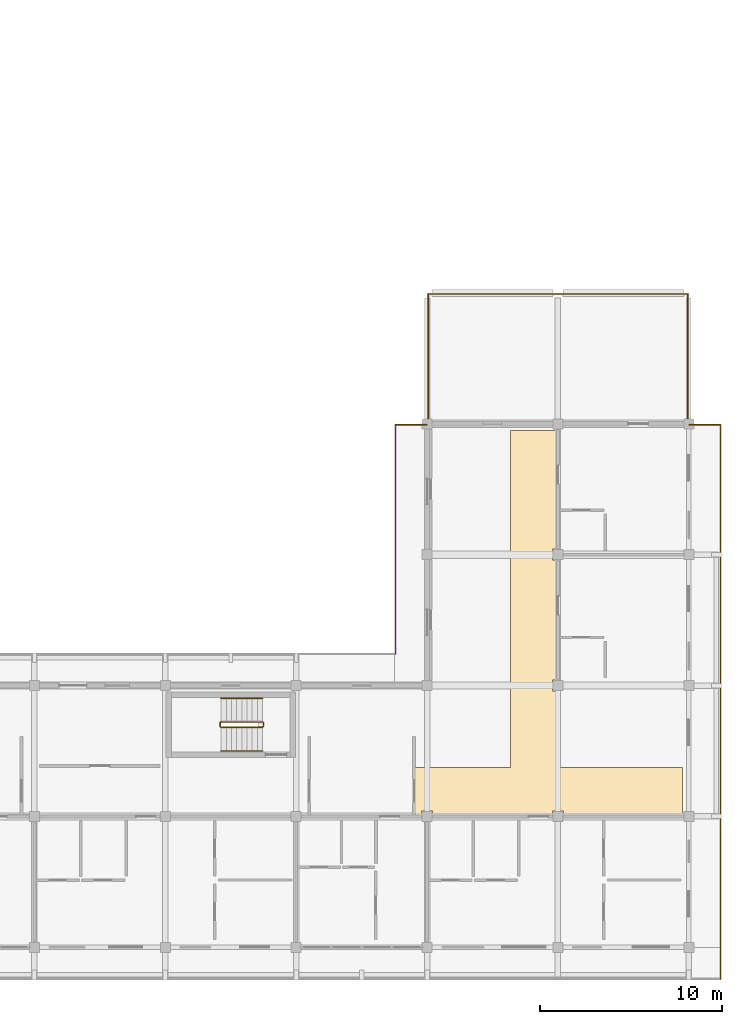
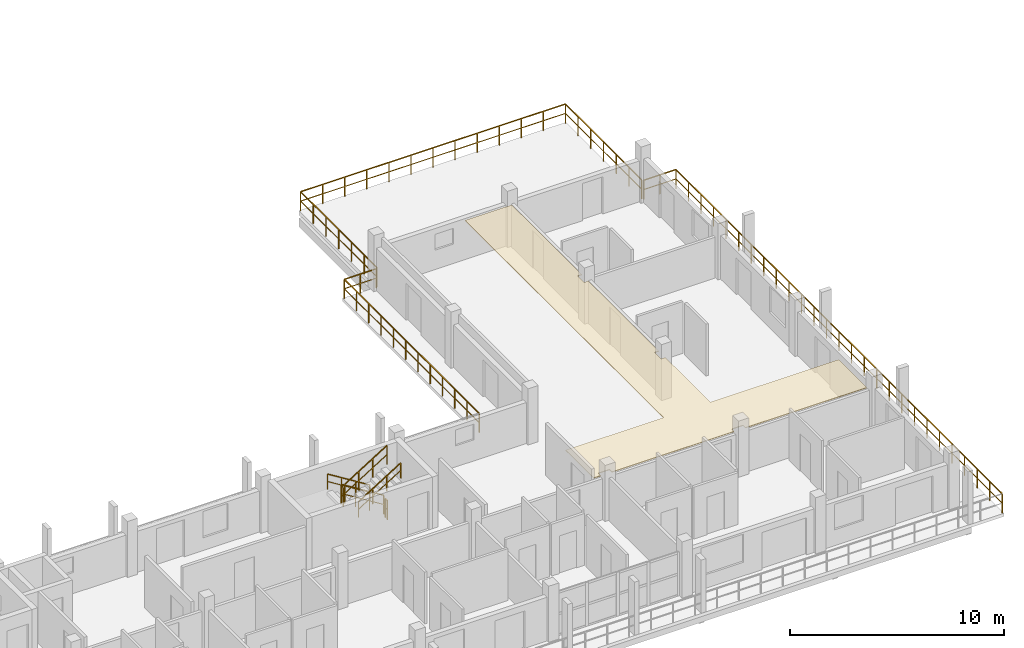
# One storey, part 61 of 65: 13 railings, 1 covering.
"""IFC4 building model written with IfcOpenShell, lengths in metres."""

from ifc_helpers import new_model, si_unit, direction, frame, origin, origin_2d, place, context, subcontext, project, spatial, polyline, rectangle, outline, extrude, material, layer, layer_set, type_object, element, save


model = new_model("IFC4")

# Units and contexts
model_context = context("Model", 3, precision=1e-05, world=origin(), true_north=direction((0.0, 1.0)))
body_context = subcontext(model_context, "Body", "Model", "MODEL_VIEW")
ifc_project = project(units=[si_unit("LENGTHUNIT", "METRE"), si_unit("AREAUNIT", "SQUARE_METRE"), si_unit("VOLUMEUNIT", "CUBIC_METRE"), si_unit("PLANEANGLEUNIT", "RADIAN"), si_unit("MASSUNIT", "GRAM", prefix="KILO")], contexts=[model_context])

# Site, building, storey
site_placement = place(None, origin())
site = spatial("IfcSite", under=ifc_project, at=site_placement, CompositionType="ELEMENT")
building_placement = place(site_placement, origin())
building = spatial("IfcBuilding", under=site, at=building_placement, Name="Suanplinth Sawtooth Commons", CompositionType="ELEMENT")
storey_placement = place(building_placement, frame((0.0, 0.0, 28.300048828125)))
storey = spatial("IfcBuildingStorey", under=building, at=storey_placement, Name="L08", CompositionType="ELEMENT", Elevation=28.300048828125)

# Covering
ifc_material_1 = material(Name="Mineral fibre acoustic tile")
ifc_layer = layer(ifc_material_1, 0.0400390625, Name="Perforated mineral-fibre acoustic suspended ceiling")
ifc_layer_set = layer_set([ifc_layer], Name="Mineral fibre acoustic tile")
covering_type = type_object("IfcCoveringType", Name="CV-CE01", PredefinedType="CEILING", material=ifc_layer_set)
covering_placement = place(storey_placement, frame((0.0, 0.0, 2.3798828125)))
element("IfcCovering", 1, at=covering_placement, inside=storey, type_object=covering_type, Name="L08 Block C Corridor Acoustic Ceiling", PredefinedType="CEILING", context=body_context, shape_type="SweptSolid", body=[
    extrude(outline(polyline([(172.1201171875, 9.89990234375), (177.39990234375, 9.89990234375), (177.39990234375, 28.43994140625), (179.919921875, 28.43994140625), (179.919921875, 21.905029296875), (179.695068359375, 21.905029296875), (179.695068359375, 21.294921875), (179.919921875, 21.294921875), (179.919921875, 14.705078125), (179.695068359375, 14.705078125), (179.695068359375, 14.094970703125), (179.919921875, 14.094970703125), (179.919921875, 9.89990234375), (186.840087890625, 9.89990234375), (186.840087890625, 7.280029296875), (180.304931640625, 7.280029296875), (180.304931640625, 7.5048828125), (179.695068359375, 7.5048828125), (179.695068359375, 7.280029296875), (173.10498046875, 7.280029296875), (173.10498046875, 7.5048828125), (172.4951171875, 7.5048828125), (172.4951171875, 7.280029296875), (172.1201171875, 7.280029296875), (172.1201171875, 9.89990234375)])), origin(), (0.0, 0.0, 1.0), 0.0400390625),
])

# Railings
ifc_material_2 = material(Name="Powder-coated galvanized steel", Category="steel")
railing_type_1 = type_object("IfcRailingType", Name="GR-01", PredefinedType="BALUSTRADE", material=ifc_material_2)
railing_1_placement = place(storey_placement, frame((171.06005859375, 16.139892578125, 0.0)))
element("IfcRailing", 2, at=railing_1_placement, inside=storey, type_object=railing_type_1, Name="L08 Block C Perimeter Balustrade 7", PredefinedType="BALUSTRADE", context=body_context, shape_type="SweptSolid", body=[
    extrude(rectangle(XDim=0.048095703125, YDim=0.048095703125, at=origin_2d()), frame((0.0, 0.0, 1.09619140625), z_axis=(0.0, 1.0, 0.0), x_axis=(-1.0, 0.0, 0.0)), (0.0, 0.0, 1.0), 12.60009765625),
    extrude(rectangle(XDim=0.03369140625, YDim=0.03369140625, at=origin_2d()), frame((0.0, 0.0, 0.56005859375), z_axis=(0.0, 1.0, 0.0), x_axis=(-1.0, 0.0, 0.0)), (0.0, 0.0, 1.0), 12.60009765625),
    extrude(rectangle(XDim=0.0419921875, YDim=0.0419921875, at=origin_2d()), origin(), (0.0, 0.0, 1.0), 1.072021484375),
    extrude(rectangle(XDim=0.0419921875, YDim=0.0419921875, at=origin_2d()), frame((0.0, 1.1455078125, 0.0)), (0.0, 0.0, 1.0), 1.072021484375),
    extrude(rectangle(XDim=0.0419921875, YDim=0.0419921875, at=origin_2d()), frame((0.0, 2.291015625, 0.0)), (0.0, 0.0, 1.0), 1.072021484375),
    extrude(rectangle(XDim=0.0419921875, YDim=0.0419921875, at=origin_2d()), frame((0.0, 3.436279296875, 0.0)), (0.0, 0.0, 1.0), 1.072021484375),
    extrude(rectangle(XDim=0.0419921875, YDim=0.0419921875, at=origin_2d()), frame((0.0, 4.581787109375, 0.0)), (0.0, 0.0, 1.0), 1.072021484375),
    extrude(rectangle(XDim=0.0419921875, YDim=0.0419921875, at=origin_2d()), frame((0.0, 5.727294921875, 0.0)), (0.0, 0.0, 1.0), 1.072021484375),
    extrude(rectangle(XDim=0.0419921875, YDim=0.0419921875, at=origin_2d()), frame((0.0, 6.872802734375, 0.0)), (0.0, 0.0, 1.0), 1.072021484375),
    extrude(rectangle(XDim=0.0419921875, YDim=0.0419921875, at=origin_2d()), frame((0.0, 8.018310546875, 0.0)), (0.0, 0.0, 1.0), 1.072021484375),
    extrude(rectangle(XDim=0.0419921875, YDim=0.0419921875, at=origin_2d()), frame((0.0, 9.163818359375, 0.0)), (0.0, 0.0, 1.0), 1.072021484375),
    extrude(rectangle(XDim=0.0419921875, YDim=0.0419921875, at=origin_2d()), frame((0.0, 10.30908203125, 0.0)), (0.0, 0.0, 1.0), 1.072021484375),
    extrude(rectangle(XDim=0.0419921875, YDim=0.0419921875, at=origin_2d()), frame((0.0, 11.45458984375, 0.0)), (0.0, 0.0, 1.0), 1.072021484375),
    extrude(rectangle(XDim=0.0419921875, YDim=0.0419921875, at=origin_2d()), frame((0.0, 12.60009765625, 0.0)), (0.0, 0.0, 1.0), 1.072021484375),
])
railing_2_placement = place(storey_placement, frame((171.06005859375, 28.739990234375, 0.0)))
element("IfcRailing", 3, at=railing_2_placement, inside=storey, type_object=railing_type_1, Name="L08 Block C Perimeter Balustrade 8", PredefinedType="BALUSTRADE", context=body_context, shape_type="SweptSolid", body=[
    extrude(rectangle(XDim=0.048095703125, YDim=0.048095703125, at=origin_2d()), frame((0.0, 0.0, 1.09619140625), z_axis=(1.0, 0.0, 0.0), x_axis=(0.0, 1.0, 0.0)), (0.0, 0.0, 1.0), 1.719970703125),
    extrude(rectangle(XDim=0.03369140625, YDim=0.03369140625, at=origin_2d()), frame((0.0, 0.0, 0.56005859375), z_axis=(1.0, 0.0, 0.0), x_axis=(0.0, 1.0, 0.0)), (0.0, 0.0, 1.0), 1.719970703125),
    extrude(rectangle(XDim=0.0419921875, YDim=0.0419921875, at=origin_2d()), origin(), (0.0, 0.0, 1.0), 1.072021484375),
    extrude(rectangle(XDim=0.0419921875, YDim=0.0419921875, at=origin_2d()), frame((0.85986328125, 0.0, 0.0)), (0.0, 0.0, 1.0), 1.072021484375),
    extrude(rectangle(XDim=0.0419921875, YDim=0.0419921875, at=origin_2d()), frame((1.719970703125, 0.0, 0.0)), (0.0, 0.0, 1.0), 1.072021484375),
])
railing_3_placement = place(storey_placement, frame((172.860107421875, 28.820068359375, 0.0)))
element("IfcRailing", 4, at=railing_3_placement, inside=storey, type_object=railing_type_1, Name="L08 Block C Perimeter Balustrade 9", PredefinedType="BALUSTRADE", context=body_context, shape_type="SweptSolid", body=[
    extrude(rectangle(XDim=0.048095703125, YDim=0.048095703125, at=origin_2d()), frame((0.0, 0.0, 1.09619140625), z_axis=(0.0, 1.0, 0.0), x_axis=(-1.0, 0.0, 0.0)), (0.0, 0.0, 1.0), 7.119873046875),
    extrude(rectangle(XDim=0.03369140625, YDim=0.03369140625, at=origin_2d()), frame((0.0, 0.0, 0.56005859375), z_axis=(0.0, 1.0, 0.0), x_axis=(-1.0, 0.0, 0.0)), (0.0, 0.0, 1.0), 7.119873046875),
    extrude(rectangle(XDim=0.0419921875, YDim=0.0419921875, at=origin_2d()), origin(), (0.0, 0.0, 1.0), 1.072021484375),
    extrude(rectangle(XDim=0.0419921875, YDim=0.0419921875, at=origin_2d()), frame((0.0, 1.1865234375, 0.0)), (0.0, 0.0, 1.0), 1.072021484375),
    extrude(rectangle(XDim=0.0419921875, YDim=0.0419921875, at=origin_2d()), frame((0.0, 2.373291015625, 0.0)), (0.0, 0.0, 1.0), 1.072021484375),
    extrude(rectangle(XDim=0.0419921875, YDim=0.0419921875, at=origin_2d()), frame((0.0, 3.56005859375, 0.0)), (0.0, 0.0, 1.0), 1.072021484375),
    extrude(rectangle(XDim=0.0419921875, YDim=0.0419921875, at=origin_2d()), frame((0.0, 4.74658203125, 0.0)), (0.0, 0.0, 1.0), 1.072021484375),
    extrude(rectangle(XDim=0.0419921875, YDim=0.0419921875, at=origin_2d()), frame((0.0, 5.93310546875, 0.0)), (0.0, 0.0, 1.0), 1.072021484375),
    extrude(rectangle(XDim=0.0419921875, YDim=0.0419921875, at=origin_2d()), frame((0.0, 7.119873046875, 0.0)), (0.0, 0.0, 1.0), 1.072021484375),
])
railing_4_placement = place(storey_placement, frame((172.860107421875, 35.93994140625, 0.0)))
element("IfcRailing", 5, at=railing_4_placement, inside=storey, type_object=railing_type_1, Name="L08 Block C Perimeter Balustrade 10", PredefinedType="BALUSTRADE", context=body_context, shape_type="SweptSolid", body=[
    extrude(rectangle(XDim=0.048095703125, YDim=0.048095703125, at=origin_2d()), frame((0.0, 0.0, 1.09619140625), z_axis=(1.0, 0.0, 0.0), x_axis=(0.0, 1.0, 0.0)), (0.0, 0.0, 1.0), 14.27978515625),
    extrude(rectangle(XDim=0.03369140625, YDim=0.03369140625, at=origin_2d()), frame((0.0, 0.0, 0.56005859375), z_axis=(1.0, 0.0, 0.0), x_axis=(0.0, 1.0, 0.0)), (0.0, 0.0, 1.0), 14.27978515625),
    extrude(rectangle(XDim=0.0419921875, YDim=0.0419921875, at=origin_2d()), origin(), (0.0, 0.0, 1.0), 1.072021484375),
    extrude(rectangle(XDim=0.0419921875, YDim=0.0419921875, at=origin_2d()), frame((1.18994140625, 0.0, 0.0)), (0.0, 0.0, 1.0), 1.072021484375),
    extrude(rectangle(XDim=0.0419921875, YDim=0.0419921875, at=origin_2d()), frame((2.3798828125, 0.0, 0.0)), (0.0, 0.0, 1.0), 1.072021484375),
    extrude(rectangle(XDim=0.0419921875, YDim=0.0419921875, at=origin_2d()), frame((3.56982421875, 0.0, 0.0)), (0.0, 0.0, 1.0), 1.072021484375),
    extrude(rectangle(XDim=0.0419921875, YDim=0.0419921875, at=origin_2d()), frame((4.760009765625, 0.0, 0.0)), (0.0, 0.0, 1.0), 1.072021484375),
    extrude(rectangle(XDim=0.0419921875, YDim=0.0419921875, at=origin_2d()), frame((5.949951171875, 0.0, 0.0)), (0.0, 0.0, 1.0), 1.072021484375),
    extrude(rectangle(XDim=0.0419921875, YDim=0.0419921875, at=origin_2d()), frame((7.139892578125, 0.0, 0.0)), (0.0, 0.0, 1.0), 1.072021484375),
    extrude(rectangle(XDim=0.0419921875, YDim=0.0419921875, at=origin_2d()), frame((8.329833984375, 0.0, 0.0)), (0.0, 0.0, 1.0), 1.072021484375),
    extrude(rectangle(XDim=0.0419921875, YDim=0.0419921875, at=origin_2d()), frame((9.519775390625, 0.0, 0.0)), (0.0, 0.0, 1.0), 1.072021484375),
    extrude(rectangle(XDim=0.0419921875, YDim=0.0419921875, at=origin_2d()), frame((10.7099609375, 0.0, 0.0)), (0.0, 0.0, 1.0), 1.072021484375),
    extrude(rectangle(XDim=0.0419921875, YDim=0.0419921875, at=origin_2d()), frame((11.89990234375, 0.0, 0.0)), (0.0, 0.0, 1.0), 1.072021484375),
    extrude(rectangle(XDim=0.0419921875, YDim=0.0419921875, at=origin_2d()), frame((13.08984375, 0.0, 0.0)), (0.0, 0.0, 1.0), 1.072021484375),
    extrude(rectangle(XDim=0.0419921875, YDim=0.0419921875, at=origin_2d()), frame((14.27978515625, 0.0, 0.0)), (0.0, 0.0, 1.0), 1.072021484375),
])
railing_5_placement = place(storey_placement, frame((187.139892578125, 35.93994140625, 0.0)))
element("IfcRailing", 6, at=railing_5_placement, inside=storey, type_object=railing_type_1, Name="L08 Block C Perimeter Balustrade 11", PredefinedType="BALUSTRADE", context=body_context, shape_type="SweptSolid", body=[
    extrude(rectangle(XDim=0.048095703125, YDim=0.048095703125, at=origin_2d()), frame((0.0, 0.0, 1.09619140625), z_axis=(0.0, -1.0, 0.0), x_axis=(1.0, 0.0, 0.0)), (0.0, 0.0, 1.0), 7.119873046875),
    extrude(rectangle(XDim=0.03369140625, YDim=0.03369140625, at=origin_2d()), frame((0.0, 0.0, 0.56005859375), z_axis=(0.0, -1.0, 0.0), x_axis=(1.0, 0.0, 0.0)), (0.0, 0.0, 1.0), 7.119873046875),
    extrude(rectangle(XDim=0.0419921875, YDim=0.0419921875, at=origin_2d()), origin(), (0.0, 0.0, 1.0), 1.072021484375),
    extrude(rectangle(XDim=0.0419921875, YDim=0.0419921875, at=origin_2d()), frame((0.0, -1.1865234375, 0.0)), (0.0, 0.0, 1.0), 1.072021484375),
    extrude(rectangle(XDim=0.0419921875, YDim=0.0419921875, at=origin_2d()), frame((0.0, -2.373291015625, 0.0)), (0.0, 0.0, 1.0), 1.072021484375),
    extrude(rectangle(XDim=0.0419921875, YDim=0.0419921875, at=origin_2d()), frame((0.0, -3.56005859375, 0.0)), (0.0, 0.0, 1.0), 1.072021484375),
    extrude(rectangle(XDim=0.0419921875, YDim=0.0419921875, at=origin_2d()), frame((0.0, -4.74658203125, 0.0)), (0.0, 0.0, 1.0), 1.072021484375),
    extrude(rectangle(XDim=0.0419921875, YDim=0.0419921875, at=origin_2d()), frame((0.0, -5.93310546875, 0.0)), (0.0, 0.0, 1.0), 1.072021484375),
    extrude(rectangle(XDim=0.0419921875, YDim=0.0419921875, at=origin_2d()), frame((0.0, -7.119873046875, 0.0)), (0.0, 0.0, 1.0), 1.072021484375),
])
railing_6_placement = place(storey_placement, frame((187.219970703125, 28.739990234375, 0.0)))
element("IfcRailing", 7, at=railing_6_placement, inside=storey, type_object=railing_type_1, Name="L08 Block C Perimeter Balustrade 12", PredefinedType="BALUSTRADE", context=body_context, shape_type="SweptSolid", body=[
    extrude(rectangle(XDim=0.048095703125, YDim=0.048095703125, at=origin_2d()), frame((0.0, 0.0, 1.09619140625), z_axis=(1.0, 0.0, 0.0), x_axis=(0.0, 1.0, 0.0)), (0.0, 0.0, 1.0), 1.719970703125),
    extrude(rectangle(XDim=0.03369140625, YDim=0.03369140625, at=origin_2d()), frame((0.0, 0.0, 0.56005859375), z_axis=(1.0, 0.0, 0.0), x_axis=(0.0, 1.0, 0.0)), (0.0, 0.0, 1.0), 1.719970703125),
    extrude(rectangle(XDim=0.0419921875, YDim=0.0419921875, at=origin_2d()), origin(), (0.0, 0.0, 1.0), 1.072021484375),
    extrude(rectangle(XDim=0.0419921875, YDim=0.0419921875, at=origin_2d()), frame((0.85986328125, 0.0, 0.0)), (0.0, 0.0, 1.0), 1.072021484375),
    extrude(rectangle(XDim=0.0419921875, YDim=0.0419921875, at=origin_2d()), frame((1.719970703125, 0.0, 0.0)), (0.0, 0.0, 1.0), 1.072021484375),
])
railing_7_placement = place(storey_placement, frame((188.93994140625, 28.739990234375, 0.0)))
element("IfcRailing", 8, at=railing_7_placement, inside=storey, type_object=railing_type_1, Name="L08 Block C Perimeter Balustrade 13", PredefinedType="BALUSTRADE", context=body_context, shape_type="SweptSolid", body=[
    extrude(rectangle(XDim=0.048095703125, YDim=0.048095703125, at=origin_2d()), frame((0.0, 0.0, 1.09619140625), z_axis=(0.0, -1.0, 0.0), x_axis=(1.0, 0.0, 0.0)), (0.0, 0.0, 1.0), 30.47998046875),
    extrude(rectangle(XDim=0.03369140625, YDim=0.03369140625, at=origin_2d()), frame((0.0, 0.0, 0.56005859375), z_axis=(0.0, -1.0, 0.0), x_axis=(1.0, 0.0, 0.0)), (0.0, 0.0, 1.0), 30.47998046875),
    extrude(rectangle(XDim=0.0419921875, YDim=0.0419921875, at=origin_2d()), origin(), (0.0, 0.0, 1.0), 1.072021484375),
    extrude(rectangle(XDim=0.0419921875, YDim=0.0419921875, at=origin_2d()), frame((0.0, -1.17236328125, 0.0)), (0.0, 0.0, 1.0), 1.072021484375),
    extrude(rectangle(XDim=0.0419921875, YDim=0.0419921875, at=origin_2d()), frame((0.0, -2.3447265625, 0.0)), (0.0, 0.0, 1.0), 1.072021484375),
    extrude(rectangle(XDim=0.0419921875, YDim=0.0419921875, at=origin_2d()), frame((0.0, -3.516845703125, 0.0)), (0.0, 0.0, 1.0), 1.072021484375),
    extrude(rectangle(XDim=0.0419921875, YDim=0.0419921875, at=origin_2d()), frame((0.0, -4.689208984375, 0.0)), (0.0, 0.0, 1.0), 1.072021484375),
    extrude(rectangle(XDim=0.0419921875, YDim=0.0419921875, at=origin_2d()), frame((0.0, -5.861572265625, 0.0)), (0.0, 0.0, 1.0), 1.072021484375),
    extrude(rectangle(XDim=0.0419921875, YDim=0.0419921875, at=origin_2d()), frame((0.0, -7.033935546875, 0.0)), (0.0, 0.0, 1.0), 1.072021484375),
    extrude(rectangle(XDim=0.0419921875, YDim=0.0419921875, at=origin_2d()), frame((0.0, -8.2060546875, 0.0)), (0.0, 0.0, 1.0), 1.072021484375),
    extrude(rectangle(XDim=0.0419921875, YDim=0.0419921875, at=origin_2d()), frame((0.0, -9.37841796875, 0.0)), (0.0, 0.0, 1.0), 1.072021484375),
    extrude(rectangle(XDim=0.0419921875, YDim=0.0419921875, at=origin_2d()), frame((0.0, -10.55078125, 0.0)), (0.0, 0.0, 1.0), 1.072021484375),
    extrude(rectangle(XDim=0.0419921875, YDim=0.0419921875, at=origin_2d()), frame((0.0, -11.72314453125, 0.0)), (0.0, 0.0, 1.0), 1.072021484375),
    extrude(rectangle(XDim=0.0419921875, YDim=0.0419921875, at=origin_2d()), frame((0.0, -12.895263671875, 0.0)), (0.0, 0.0, 1.0), 1.072021484375),
    extrude(rectangle(XDim=0.0419921875, YDim=0.0419921875, at=origin_2d()), frame((0.0, -14.067626953125, 0.0)), (0.0, 0.0, 1.0), 1.072021484375),
    extrude(rectangle(XDim=0.0419921875, YDim=0.0419921875, at=origin_2d()), frame((0.0, -15.239990234375, 0.0)), (0.0, 0.0, 1.0), 1.072021484375),
    extrude(rectangle(XDim=0.0419921875, YDim=0.0419921875, at=origin_2d()), frame((0.0, -16.412353515625, 0.0)), (0.0, 0.0, 1.0), 1.072021484375),
    extrude(rectangle(XDim=0.0419921875, YDim=0.0419921875, at=origin_2d()), frame((0.0, -17.584716796875, 0.0)), (0.0, 0.0, 1.0), 1.072021484375),
    extrude(rectangle(XDim=0.0419921875, YDim=0.0419921875, at=origin_2d()), frame((0.0, -18.7568359375, 0.0)), (0.0, 0.0, 1.0), 1.072021484375),
    extrude(rectangle(XDim=0.0419921875, YDim=0.0419921875, at=origin_2d()), frame((0.0, -19.92919921875, 0.0)), (0.0, 0.0, 1.0), 1.072021484375),
    extrude(rectangle(XDim=0.0419921875, YDim=0.0419921875, at=origin_2d()), frame((0.0, -21.1015625, 0.0)), (0.0, 0.0, 1.0), 1.072021484375),
    extrude(rectangle(XDim=0.0419921875, YDim=0.0419921875, at=origin_2d()), frame((0.0, -22.27392578125, 0.0)), (0.0, 0.0, 1.0), 1.072021484375),
    extrude(rectangle(XDim=0.0419921875, YDim=0.0419921875, at=origin_2d()), frame((0.0, -23.446044921875, 0.0)), (0.0, 0.0, 1.0), 1.072021484375),
    extrude(rectangle(XDim=0.0419921875, YDim=0.0419921875, at=origin_2d()), frame((0.0, -24.618408203125, 0.0)), (0.0, 0.0, 1.0), 1.072021484375),
    extrude(rectangle(XDim=0.0419921875, YDim=0.0419921875, at=origin_2d()), frame((0.0, -25.790771484375, 0.0)), (0.0, 0.0, 1.0), 1.072021484375),
    extrude(rectangle(XDim=0.0419921875, YDim=0.0419921875, at=origin_2d()), frame((0.0, -26.963134765625, 0.0)), (0.0, 0.0, 1.0), 1.072021484375),
    extrude(rectangle(XDim=0.0419921875, YDim=0.0419921875, at=origin_2d()), frame((0.0, -28.13525390625, 0.0)), (0.0, 0.0, 1.0), 1.072021484375),
    extrude(rectangle(XDim=0.0419921875, YDim=0.0419921875, at=origin_2d()), frame((0.0, -29.3076171875, 0.0)), (0.0, 0.0, 1.0), 1.072021484375),
    extrude(rectangle(XDim=0.0419921875, YDim=0.0419921875, at=origin_2d()), frame((0.0, -30.47998046875, 0.0)), (0.0, 0.0, 1.0), 1.072021484375),
])
ifc_material_3 = material(Name="Stainless steel Grade 304", Category="steel")
railing_type_2 = type_object("IfcRailingType", Name="GR-04", PredefinedType="GUARDRAIL", material=ifc_material_3)
railing_8_placement = place(storey_placement, frame((163.75, 12.39990234375, 0.177734375)))
element("IfcRailing", 9, at=railing_8_placement, inside=storey, type_object=railing_type_2, Name="L08 ST-S2 Guard 1", PredefinedType="GUARDRAIL", context=body_context, shape_type="SweptSolid", body=[
    extrude(rectangle(XDim=0.048095703125, YDim=0.048095703125, at=origin_2d()), frame((0.0, 0.0, 1.076171875), z_axis=(-0.848482842525, 0.0, 0.529222888715), x_axis=(0.0, -1.0, 0.0)), (0.0, 0.0, 1.0), 2.687255859375),
    extrude(rectangle(XDim=0.03369140625, YDim=0.03369140625, at=origin_2d()), frame((0.0, 0.0, 0.550048828125), z_axis=(-0.848482842525, 0.0, 0.529222888715), x_axis=(0.0, -1.0, 0.0)), (0.0, 0.0, 1.0), 2.687255859375),
    extrude(rectangle(XDim=0.0419921875, YDim=0.0419921875, at=origin_2d()), origin(), (0.0, 0.0, 1.0), 1.052001953125),
    extrude(rectangle(XDim=0.0419921875, YDim=0.0419921875, at=origin_2d()), frame((-0.760009765625, 0.0, 0.47412109375)), (0.0, 0.0, 1.0), 1.052001953125),
    extrude(rectangle(XDim=0.0419921875, YDim=0.0419921875, at=origin_2d()), frame((-1.52001953125, 0.0, 0.947998046875)), (0.0, 0.0, 1.0), 1.052001953125),
    extrude(rectangle(XDim=0.0419921875, YDim=0.0419921875, at=origin_2d()), frame((-2.280029296875, 0.0, 1.422119140625)), (0.0, 0.0, 1.0), 1.052001953125),
])
railing_9_placement = place(storey_placement, frame((161.419921875, 12.35009765625, 1.599853515625)))
element("IfcRailing", 10, at=railing_9_placement, inside=storey, type_object=railing_type_2, Name="L08 ST-S2 Guard 2", PredefinedType="GUARDRAIL", context=body_context, shape_type="SweptSolid", body=[
    extrude(rectangle(XDim=0.048095703125, YDim=0.048095703125, at=origin_2d()), frame((0.0, 0.0, 1.076171875), z_axis=(0.0, -1.0, 0.0), x_axis=(1.0, 0.0, 0.0)), (0.0, 0.0, 1.0), 0.2001953125),
    extrude(rectangle(XDim=0.03369140625, YDim=0.03369140625, at=origin_2d()), frame((0.0, 0.0, 0.550048828125), z_axis=(0.0, -1.0, 0.0), x_axis=(1.0, 0.0, 0.0)), (0.0, 0.0, 1.0), 0.2001953125),
    extrude(rectangle(XDim=0.0419921875, YDim=0.0419921875, at=origin_2d()), origin(), (0.0, 0.0, 1.0), 1.052001953125),
    extrude(rectangle(XDim=0.0419921875, YDim=0.0419921875, at=origin_2d()), frame((0.0, -0.2001953125, 0.0)), (0.0, 0.0, 1.0), 1.052001953125),
])
railing_10_placement = place(storey_placement, frame((161.469970703125, 12.10009765625, 1.77783203125)))
element("IfcRailing", 11, at=railing_10_placement, inside=storey, type_object=railing_type_2, Name="L08 ST-S2 Guard 3", PredefinedType="GUARDRAIL", context=body_context, shape_type="SweptSolid", body=[
    extrude(rectangle(XDim=0.048095703125, YDim=0.048095703125, at=origin_2d()), frame((0.0, 0.0, 1.076171875), z_axis=(0.848482842525, 0.0, 0.529222888715), x_axis=(0.0, 1.0, 0.0)), (0.0, 0.0, 1.0), 2.687255859375),
    extrude(rectangle(XDim=0.03369140625, YDim=0.03369140625, at=origin_2d()), frame((0.0, 0.0, 0.550048828125), z_axis=(0.848482842525, 0.0, 0.529222888715), x_axis=(0.0, 1.0, 0.0)), (0.0, 0.0, 1.0), 2.687255859375),
    extrude(rectangle(XDim=0.0419921875, YDim=0.0419921875, at=origin_2d()), origin(), (0.0, 0.0, 1.0), 1.052001953125),
    extrude(rectangle(XDim=0.0419921875, YDim=0.0419921875, at=origin_2d()), frame((0.760009765625, 0.0, 0.47412109375)), (0.0, 0.0, 1.0), 1.052001953125),
    extrude(rectangle(XDim=0.0419921875, YDim=0.0419921875, at=origin_2d()), frame((1.52001953125, 0.0, 0.947998046875)), (0.0, 0.0, 1.0), 1.052001953125),
    extrude(rectangle(XDim=0.0419921875, YDim=0.0419921875, at=origin_2d()), frame((2.280029296875, 0.0, 1.422119140625)), (0.0, 0.0, 1.0), 1.052001953125),
])
railing_11_placement = place(storey_placement, frame((163.800048828125, 12.35009765625, 0.0)))
element("IfcRailing", 12, at=railing_11_placement, inside=storey, type_object=railing_type_2, Name="L08 ST-S2 Guard 4", PredefinedType="GUARDRAIL", context=body_context, shape_type="SweptSolid", body=[
    extrude(rectangle(XDim=0.048095703125, YDim=0.048095703125, at=origin_2d()), frame((0.0, 0.0, 1.076171875), z_axis=(0.0, -1.0, 0.0), x_axis=(1.0, 0.0, 0.0)), (0.0, 0.0, 1.0), 0.2001953125),
    extrude(rectangle(XDim=0.03369140625, YDim=0.03369140625, at=origin_2d()), frame((0.0, 0.0, 0.550048828125), z_axis=(0.0, -1.0, 0.0), x_axis=(1.0, 0.0, 0.0)), (0.0, 0.0, 1.0), 0.2001953125),
    extrude(rectangle(XDim=0.0419921875, YDim=0.0419921875, at=origin_2d()), origin(), (0.0, 0.0, 1.0), 1.052001953125),
    extrude(rectangle(XDim=0.0419921875, YDim=0.0419921875, at=origin_2d()), frame((0.0, -0.2001953125, 0.0)), (0.0, 0.0, 1.0), 1.052001953125),
])
railing_type_3 = type_object("IfcRailingType", Name="HR-01", PredefinedType="HANDRAIL", material=ifc_material_3)
railing_12_placement = place(storey_placement, frame((163.75, 13.699951171875, 0.177734375)))
element("IfcRailing", 13, at=railing_12_placement, inside=storey, type_object=railing_type_3, Name="L08 ST-S2 Handrail 1", PredefinedType="HANDRAIL", context=body_context, shape_type="SweptSolid", body=[
    extrude(rectangle(XDim=0.048095703125, YDim=0.048095703125, at=origin_2d()), frame((0.0, 0.0, 0.8759765625), z_axis=(-0.848482842525, 0.0, 0.529222888715), x_axis=(0.0, -1.0, 0.0)), (0.0, 0.0, 1.0), 2.687255859375),
    extrude(rectangle(XDim=0.03369140625, YDim=0.03369140625, at=origin_2d()), frame((0.0, 0.0, 0.449951171875), z_axis=(-0.848482842525, 0.0, 0.529222888715), x_axis=(0.0, -1.0, 0.0)), (0.0, 0.0, 1.0), 2.687255859375),
    extrude(rectangle(XDim=0.0419921875, YDim=0.0419921875, at=origin_2d()), origin(), (0.0, 0.0, 1.0), 0.851806640625),
    extrude(rectangle(XDim=0.0419921875, YDim=0.0419921875, at=origin_2d()), frame((-0.760009765625, 0.0, 0.47412109375)), (0.0, 0.0, 1.0), 0.851806640625),
    extrude(rectangle(XDim=0.0419921875, YDim=0.0419921875, at=origin_2d()), frame((-1.52001953125, 0.0, 0.947998046875)), (0.0, 0.0, 1.0), 0.851806640625),
    extrude(rectangle(XDim=0.0419921875, YDim=0.0419921875, at=origin_2d()), frame((-2.280029296875, 0.0, 1.422119140625)), (0.0, 0.0, 1.0), 0.851806640625),
])
railing_13_placement = place(storey_placement, frame((161.469970703125, 10.800048828125, 1.77783203125)))
element("IfcRailing", 14, at=railing_13_placement, inside=storey, type_object=railing_type_3, Name="L08 ST-S2 Handrail 2", PredefinedType="HANDRAIL", context=body_context, shape_type="SweptSolid", body=[
    extrude(rectangle(XDim=0.048095703125, YDim=0.048095703125, at=origin_2d()), frame((0.0, 0.0, 0.8759765625), z_axis=(0.848482842525, 0.0, 0.529222888715), x_axis=(0.0, 1.0, 0.0)), (0.0, 0.0, 1.0), 2.687255859375),
    extrude(rectangle(XDim=0.03369140625, YDim=0.03369140625, at=origin_2d()), frame((0.0, 0.0, 0.449951171875), z_axis=(0.848482842525, 0.0, 0.529222888715), x_axis=(0.0, 1.0, 0.0)), (0.0, 0.0, 1.0), 2.687255859375),
    extrude(rectangle(XDim=0.0419921875, YDim=0.0419921875, at=origin_2d()), origin(), (0.0, 0.0, 1.0), 0.851806640625),
    extrude(rectangle(XDim=0.0419921875, YDim=0.0419921875, at=origin_2d()), frame((0.760009765625, 0.0, 0.47412109375)), (0.0, 0.0, 1.0), 0.851806640625),
    extrude(rectangle(XDim=0.0419921875, YDim=0.0419921875, at=origin_2d()), frame((1.52001953125, 0.0, 0.947998046875)), (0.0, 0.0, 1.0), 0.851806640625),
    extrude(rectangle(XDim=0.0419921875, YDim=0.0419921875, at=origin_2d()), frame((2.280029296875, 0.0, 1.422119140625)), (0.0, 0.0, 1.0), 0.851806640625),
])

save(model, "model.ifc")
